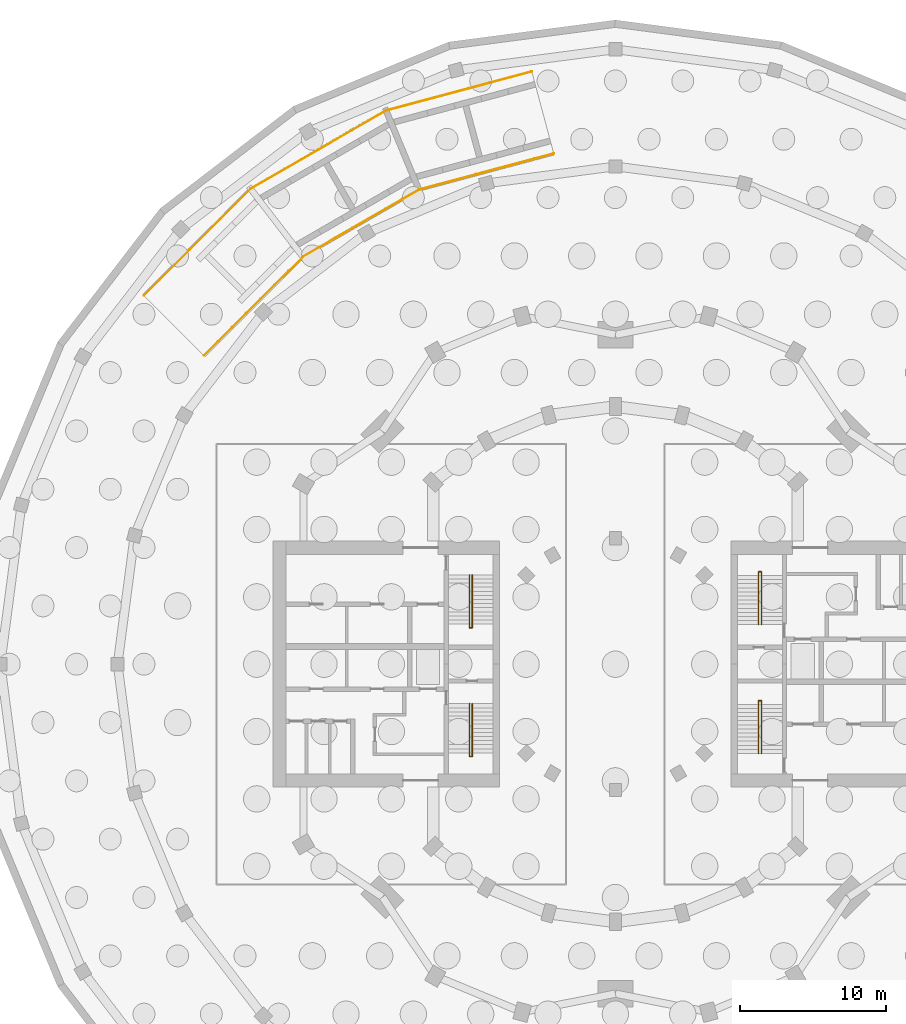
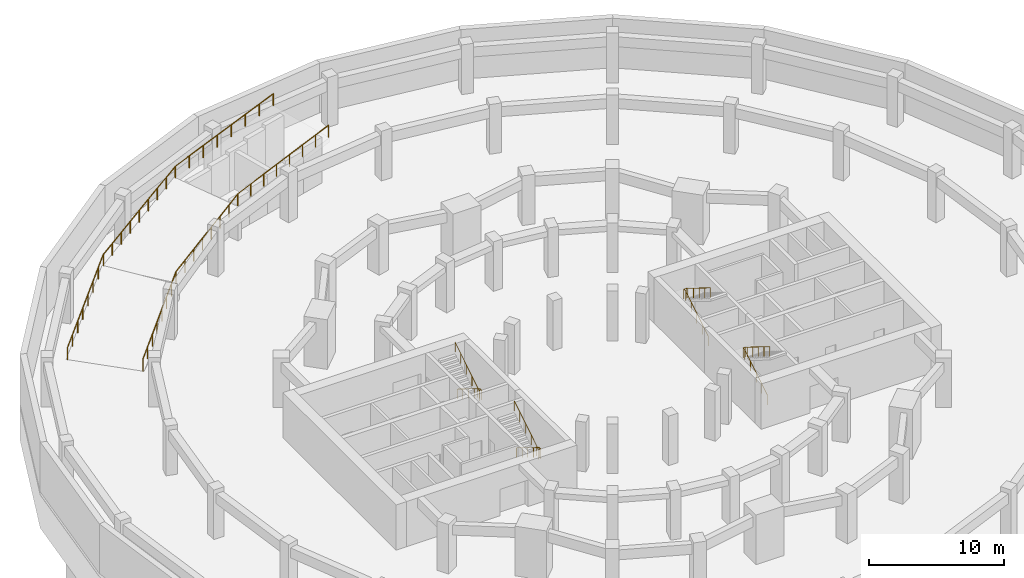
# One storey, part 8 of 9: 6 railings.
"""IFC4 building model written with IfcOpenShell, lengths in metres."""

from ifc_helpers import new_model, si_unit, direction, frame, origin, origin_2d, place, context, subcontext, project, spatial, circle, extrude, material, type_object, element, save


model = new_model("IFC4")

# Units and contexts
model_context = context("Model", 3, precision=1e-05, world=origin(), true_north=direction((0.0, 1.0)))
body_context = subcontext(model_context, "Body", "Model", "MODEL_VIEW")
ifc_project = project(units=[si_unit("LENGTHUNIT", "METRE"), si_unit("AREAUNIT", "SQUARE_METRE"), si_unit("VOLUMEUNIT", "CUBIC_METRE"), si_unit("PLANEANGLEUNIT", "RADIAN"), si_unit("MASSUNIT", "GRAM", prefix="KILO")], contexts=[model_context])

# Site, building, storey
site_placement = place(None, origin())
site = spatial("IfcSite", under=ifc_project, at=site_placement, CompositionType="ELEMENT")
building_placement = place(site_placement, origin())
building = spatial("IfcBuilding", under=site, at=building_placement, Name="Torre Brocal", CompositionType="ELEMENT")
storey_placement = place(building_placement, frame((0.0, 0.0, -9.0)))
storey = spatial("IfcBuildingStorey", under=building, at=storey_placement, Name="B2", CompositionType="ELEMENT", Elevation=-9.0)

# Railings
ifc_material_1 = material(Name="Steel A992", Category="steel")
railing_type_1 = type_object("IfcRailingType", Name="RAMP GUARD", PredefinedType="GUARDRAIL", material=ifc_material_1)
railing_1_placement = place(storey_placement, frame((75.79052734375, 109.873779296875, 4.5)))
element("IfcRailing", 1, at=railing_1_placement, inside=storey, type_object=railing_type_1, Name="Railing RG-01", PredefinedType="GUARDRAIL", context=body_context, shape_type="SweptSolid", body=[
    extrude(circle(Radius=0.02490234375, at=origin_2d()), frame((0.0, 0.0, 1.0751953125), z_axis=(-0.954195909536, -0.255686171058, -0.155353622921), x_axis=(0.258828629365, -0.965923258143, 0.0)), (0.0, 0.0, 1.0), 9.6552734375),
    extrude(circle(Radius=0.02490234375, at=origin_2d()), frame((-9.213134765625, -2.46875, -0.4248046875), z_axis=(-0.85463722704, -0.493416172458, -0.161665367085), x_axis=(0.499993265928, -0.866029291668, 0.0)), (0.0, 0.0, 1.0), 9.2783203125),
    extrude(circle(Radius=0.02490234375, at=origin_2d()), frame((-17.142822265625, -7.046875, -1.9248046875), z_axis=(-0.698522063857, -0.698522063857, -0.155350740619), x_axis=(0.707106781187, -0.707106781187, 0.0)), (0.0, 0.0, 1.0), 9.655517578125),
    extrude(circle(Radius=0.02490234375, at=origin_2d()), origin(), (0.0, 0.0, 1.0), 1.050048828125),
    extrude(circle(Radius=0.02490234375, at=origin_2d()), frame((-1.316162109375, -0.352783203125, -0.21435546875)), (0.0, 0.0, 1.0), 1.050048828125),
    extrude(circle(Radius=0.02490234375, at=origin_2d()), frame((-2.63232421875, -0.705322265625, -0.428466796875)), (0.0, 0.0, 1.0), 1.050048828125),
    extrude(circle(Radius=0.02490234375, at=origin_2d()), frame((-3.948486328125, -1.05810546875, -0.642822265625)), (0.0, 0.0, 1.0), 1.050048828125),
    extrude(circle(Radius=0.02490234375, at=origin_2d()), frame((-5.2646484375, -1.41064453125, -0.857177734375)), (0.0, 0.0, 1.0), 1.050048828125),
    extrude(circle(Radius=0.02490234375, at=origin_2d()), frame((-6.580810546875, -1.763427734375, -1.071533203125)), (0.0, 0.0, 1.0), 1.050048828125),
    extrude(circle(Radius=0.02490234375, at=origin_2d()), frame((-7.89697265625, -2.115966796875, -1.28564453125)), (0.0, 0.0, 1.0), 1.050048828125),
    extrude(circle(Radius=0.02490234375, at=origin_2d()), frame((-9.213134765625, -2.46875, -1.5)), (0.0, 0.0, 1.0), 1.050048828125),
    extrude(circle(Radius=0.02490234375, at=origin_2d()), frame((-10.345947265625, -3.122802734375, -1.71435546875)), (0.0, 0.0, 1.0), 1.050048828125),
    extrude(circle(Radius=0.02490234375, at=origin_2d()), frame((-11.478759765625, -3.77685546875, -1.928466796875)), (0.0, 0.0, 1.0), 1.050048828125),
    extrude(circle(Radius=0.02490234375, at=origin_2d()), frame((-12.611572265625, -4.430908203125, -2.142822265625)), (0.0, 0.0, 1.0), 1.050048828125),
    extrude(circle(Radius=0.02490234375, at=origin_2d()), frame((-13.744384765625, -5.084716796875, -2.357177734375)), (0.0, 0.0, 1.0), 1.050048828125),
    extrude(circle(Radius=0.02490234375, at=origin_2d()), frame((-14.877197265625, -5.73876953125, -2.571533203125)), (0.0, 0.0, 1.0), 1.050048828125),
    extrude(circle(Radius=0.02490234375, at=origin_2d()), frame((-16.010009765625, -6.392822265625, -2.78564453125)), (0.0, 0.0, 1.0), 1.050048828125),
    extrude(circle(Radius=0.02490234375, at=origin_2d()), frame((-17.142822265625, -7.046875, -3.0)), (0.0, 0.0, 1.0), 1.050048828125),
    extrude(circle(Radius=0.02490234375, at=origin_2d()), frame((-18.1064453125, -8.010498046875, -3.21435546875)), (0.0, 0.0, 1.0), 1.050048828125),
    extrude(circle(Radius=0.02490234375, at=origin_2d()), frame((-19.06982421875, -8.973876953125, -3.428466796875)), (0.0, 0.0, 1.0), 1.050048828125),
    extrude(circle(Radius=0.02490234375, at=origin_2d()), frame((-20.033447265625, -9.9375, -3.642822265625)), (0.0, 0.0, 1.0), 1.050048828125),
    extrude(circle(Radius=0.02490234375, at=origin_2d()), frame((-20.996826171875, -10.90087890625, -3.857177734375)), (0.0, 0.0, 1.0), 1.050048828125),
    extrude(circle(Radius=0.02490234375, at=origin_2d()), frame((-21.96044921875, -11.864501953125, -4.071533203125)), (0.0, 0.0, 1.0), 1.050048828125),
    extrude(circle(Radius=0.02490234375, at=origin_2d()), frame((-22.923828125, -12.827880859375, -4.28564453125)), (0.0, 0.0, 1.0), 1.050048828125),
    extrude(circle(Radius=0.02490234375, at=origin_2d()), frame((-23.887451171875, -13.79150390625, -4.5)), (0.0, 0.0, 1.0), 1.050048828125),
])
railing_2_placement = place(storey_placement, frame((74.28955078125, 115.47607421875, 4.5)))
element("IfcRailing", 2, at=railing_2_placement, inside=storey, type_object=railing_type_1, Name="Railing RG-01", PredefinedType="GUARDRAIL", context=body_context, shape_type="SweptSolid", body=[
    extrude(circle(Radius=0.02490234375, at=origin_2d()), frame((0.0, 0.0, 1.0751953125), z_axis=(-0.955848782905, -0.256110909446, -0.144084372094), x_axis=(0.258811502268, -0.965927847354, 0.0)), (0.0, 0.0, 1.0), 10.41064453125),
    extrude(circle(Radius=0.02490234375, at=origin_2d()), frame((-9.950927734375, -2.666259765625, -0.4248046875), z_axis=(-0.857612056732, -0.495146101309, -0.139039197735), x_axis=(0.500002688229, -0.866023851729, 0.0)), (0.0, 0.0, 1.0), 10.788330078125),
    extrude(circle(Radius=0.02490234375, at=origin_2d()), frame((-19.203125, -8.008056640625, -1.9248046875), z_axis=(-0.69972811897, -0.69972811897, -0.144087192511), x_axis=(0.707106781187, -0.707106781187, 0.0)), (0.0, 0.0, 1.0), 10.410400390625),
    extrude(circle(Radius=0.02490234375, at=origin_2d()), origin(), (0.0, 0.0, 1.0), 1.050048828125),
    extrude(circle(Radius=0.02490234375, at=origin_2d()), frame((-1.421630859375, -0.380859375, -0.21435546875)), (0.0, 0.0, 1.0), 1.050048828125),
    extrude(circle(Radius=0.02490234375, at=origin_2d()), frame((-2.843017578125, -0.76171875, -0.428466796875)), (0.0, 0.0, 1.0), 1.050048828125),
    extrude(circle(Radius=0.02490234375, at=origin_2d()), frame((-4.2646484375, -1.142578125, -0.642822265625)), (0.0, 0.0, 1.0), 1.050048828125),
    extrude(circle(Radius=0.02490234375, at=origin_2d()), frame((-5.686279296875, -1.523681640625, -0.857177734375)), (0.0, 0.0, 1.0), 1.050048828125),
    extrude(circle(Radius=0.02490234375, at=origin_2d()), frame((-7.10791015625, -1.904541015625, -1.071533203125)), (0.0, 0.0, 1.0), 1.050048828125),
    extrude(circle(Radius=0.02490234375, at=origin_2d()), frame((-8.529296875, -2.285400390625, -1.28564453125)), (0.0, 0.0, 1.0), 1.050048828125),
    extrude(circle(Radius=0.02490234375, at=origin_2d()), frame((-9.950927734375, -2.666259765625, -1.5)), (0.0, 0.0, 1.0), 1.050048828125),
    extrude(circle(Radius=0.02490234375, at=origin_2d()), frame((-11.107421875, -3.333984375, -1.6875)), (0.0, 0.0, 1.0), 1.050048828125),
    extrude(circle(Radius=0.02490234375, at=origin_2d()), frame((-12.263916015625, -4.001708984375, -1.875)), (0.0, 0.0, 1.0), 1.050048828125),
    extrude(circle(Radius=0.02490234375, at=origin_2d()), frame((-13.42041015625, -4.66943359375, -2.0625)), (0.0, 0.0, 1.0), 1.050048828125),
    extrude(circle(Radius=0.02490234375, at=origin_2d()), frame((-14.5771484375, -5.337158203125, -2.25)), (0.0, 0.0, 1.0), 1.050048828125),
    extrude(circle(Radius=0.02490234375, at=origin_2d()), frame((-15.733642578125, -6.0048828125, -2.4375)), (0.0, 0.0, 1.0), 1.050048828125),
    extrude(circle(Radius=0.02490234375, at=origin_2d()), frame((-16.89013671875, -6.672607421875, -2.625)), (0.0, 0.0, 1.0), 1.050048828125),
    extrude(circle(Radius=0.02490234375, at=origin_2d()), frame((-18.046630859375, -7.34033203125, -2.8125)), (0.0, 0.0, 1.0), 1.050048828125),
    extrude(circle(Radius=0.02490234375, at=origin_2d()), frame((-19.203125, -8.008056640625, -3.0)), (0.0, 0.0, 1.0), 1.050048828125),
    extrude(circle(Radius=0.02490234375, at=origin_2d()), frame((-20.24365234375, -9.048583984375, -3.21435546875)), (0.0, 0.0, 1.0), 1.050048828125),
    extrude(circle(Radius=0.02490234375, at=origin_2d()), frame((-21.284423828125, -10.08935546875, -3.428466796875)), (0.0, 0.0, 1.0), 1.050048828125),
    extrude(circle(Radius=0.02490234375, at=origin_2d()), frame((-22.324951171875, -11.1298828125, -3.642822265625)), (0.0, 0.0, 1.0), 1.050048828125),
    extrude(circle(Radius=0.02490234375, at=origin_2d()), frame((-23.36572265625, -12.170654296875, -3.857177734375)), (0.0, 0.0, 1.0), 1.050048828125),
    extrude(circle(Radius=0.02490234375, at=origin_2d()), frame((-24.40625, -13.211181640625, -4.071533203125)), (0.0, 0.0, 1.0), 1.050048828125),
    extrude(circle(Radius=0.02490234375, at=origin_2d()), frame((-25.447021484375, -14.251953125, -4.28564453125)), (0.0, 0.0, 1.0), 1.050048828125),
    extrude(circle(Radius=0.02490234375, at=origin_2d()), frame((-26.487548828125, -15.29248046875, -4.5)), (0.0, 0.0, 1.0), 1.050048828125),
])
ifc_material_2 = material(Name="Stainless steel AISI 316", Category="steel")
railing_type_2 = type_object("IfcRailingType", Name="STAIR HANDRAIL", PredefinedType="HANDRAIL", material=ifc_material_2)
railing_3_placement = place(storey_placement, frame((89.780029296875, 77.699951171875, 0.173095703125)))
element("IfcRailing", 3, at=railing_3_placement, inside=storey, type_object=railing_type_2, Name="HANDRAIL ST1", PredefinedType="HANDRAIL", context=body_context, shape_type="SweptSolid", body=[
    extrude(circle(Radius=0.02392578125, at=origin_2d()), frame((0.0, 0.0, 0.8759765625), z_axis=(0.0, 0.850623216509, 0.525775754039), x_axis=(-1.0, 0.0, 0.0)), (0.0, 0.0, 1.0), 3.9501953125),
    extrude(circle(Radius=0.02392578125, at=origin_2d()), frame((0.0, 3.360107421875, 2.95263671875), z_axis=(0.0, 1.0, 0.0), x_axis=(-1.0, 0.0, 0.0)), (0.0, 0.0, 1.0), 0.25),
    extrude(circle(Radius=0.02392578125, at=origin_2d()), frame((0.0, 3.610107421875, 2.95263671875), z_axis=(1.0, 0.0, 0.0), x_axis=(0.0, 1.0, 0.0)), (0.0, 0.0, 1.0), 0.18994140625),
    extrude(circle(Radius=0.02392578125, at=origin_2d()), frame((0.18994140625, 3.610107421875, 2.95263671875), z_axis=(0.0, -0.822163286406, 0.569251728576), x_axis=(1.0, 0.0, 0.0)), (0.0, 0.0, 1.0), 0.303955078125),
    extrude(circle(Radius=0.02392578125, at=origin_2d()), frame((0.18994140625, 3.360107421875, 3.1259765625), z_axis=(0.0, -0.850623216509, 0.525775754039), x_axis=(1.0, 0.0, 0.0)), (0.0, 0.0, 1.0), 3.9501953125),
    extrude(circle(Radius=0.02099609375, at=origin_2d()), origin(), (0.0, 0.0, 1.0), 0.851806640625),
    extrude(circle(Radius=0.02099609375, at=origin_2d()), frame((0.0, 0.840087890625, 0.519287109375)), (0.0, 0.0, 1.0), 0.851806640625),
    extrude(circle(Radius=0.02099609375, at=origin_2d()), frame((0.0, 1.68017578125, 1.03857421875)), (0.0, 0.0, 1.0), 0.851806640625),
    extrude(circle(Radius=0.02099609375, at=origin_2d()), frame((0.0, 2.52001953125, 1.5576171875)), (0.0, 0.0, 1.0), 0.851806640625),
    extrude(circle(Radius=0.02099609375, at=origin_2d()), frame((0.0, 3.360107421875, 2.076904296875)), (0.0, 0.0, 1.0), 0.851806640625),
    extrude(circle(Radius=0.02099609375, at=origin_2d()), frame((0.0, 3.610107421875, 2.076904296875)), (0.0, 0.0, 1.0), 0.851806640625),
    extrude(circle(Radius=0.02099609375, at=origin_2d()), frame((0.18994140625, 3.610107421875, 2.076904296875)), (0.0, 0.0, 1.0), 0.851806640625),
    extrude(circle(Radius=0.02099609375, at=origin_2d()), frame((0.18994140625, 3.360107421875, 2.25)), (0.0, 0.0, 1.0), 0.851806640625),
    extrude(circle(Radius=0.02099609375, at=origin_2d()), frame((0.18994140625, 2.52001953125, 2.769287109375)), (0.0, 0.0, 1.0), 0.851806640625),
    extrude(circle(Radius=0.02099609375, at=origin_2d()), frame((0.18994140625, 1.68017578125, 3.28857421875)), (0.0, 0.0, 1.0), 0.851806640625),
    extrude(circle(Radius=0.02099609375, at=origin_2d()), frame((0.18994140625, 0.840087890625, 3.8076171875)), (0.0, 0.0, 1.0), 0.851806640625),
    extrude(circle(Radius=0.02099609375, at=origin_2d()), frame((0.18994140625, 0.0, 4.326904296875)), (0.0, 0.0, 1.0), 0.851806640625),
])
railing_4_placement = place(storey_placement, frame((89.780029296875, 68.89990234375, 0.173095703125)))
element("IfcRailing", 4, at=railing_4_placement, inside=storey, type_object=railing_type_2, Name="HANDRAIL ST2", PredefinedType="HANDRAIL", context=body_context, shape_type="SweptSolid", body=[
    extrude(circle(Radius=0.02392578125, at=origin_2d()), frame((0.0, 0.0, 0.8759765625), z_axis=(0.0, 0.850623216509, 0.525775754039), x_axis=(-1.0, 0.0, 0.0)), (0.0, 0.0, 1.0), 3.9501953125),
    extrude(circle(Radius=0.02392578125, at=origin_2d()), frame((0.0, 3.360107421875, 2.95263671875), z_axis=(0.0, 1.0, 0.0), x_axis=(-1.0, 0.0, 0.0)), (0.0, 0.0, 1.0), 0.25),
    extrude(circle(Radius=0.02392578125, at=origin_2d()), frame((0.0, 3.610107421875, 2.95263671875), z_axis=(1.0, 0.0, 0.0), x_axis=(0.0, 1.0, 0.0)), (0.0, 0.0, 1.0), 0.18994140625),
    extrude(circle(Radius=0.02392578125, at=origin_2d()), frame((0.18994140625, 3.610107421875, 2.95263671875), z_axis=(0.0, -0.822163286406, 0.569251728576), x_axis=(1.0, 0.0, 0.0)), (0.0, 0.0, 1.0), 0.303955078125),
    extrude(circle(Radius=0.02392578125, at=origin_2d()), frame((0.18994140625, 3.360107421875, 3.1259765625), z_axis=(0.0, -0.850623216509, 0.525775754039), x_axis=(1.0, 0.0, 0.0)), (0.0, 0.0, 1.0), 3.9501953125),
    extrude(circle(Radius=0.02099609375, at=origin_2d()), origin(), (0.0, 0.0, 1.0), 0.851806640625),
    extrude(circle(Radius=0.02099609375, at=origin_2d()), frame((0.0, 0.840087890625, 0.519287109375)), (0.0, 0.0, 1.0), 0.851806640625),
    extrude(circle(Radius=0.02099609375, at=origin_2d()), frame((0.0, 1.68017578125, 1.03857421875)), (0.0, 0.0, 1.0), 0.851806640625),
    extrude(circle(Radius=0.02099609375, at=origin_2d()), frame((0.0, 2.52001953125, 1.5576171875)), (0.0, 0.0, 1.0), 0.851806640625),
    extrude(circle(Radius=0.02099609375, at=origin_2d()), frame((0.0, 3.360107421875, 2.076904296875)), (0.0, 0.0, 1.0), 0.851806640625),
    extrude(circle(Radius=0.02099609375, at=origin_2d()), frame((0.0, 3.610107421875, 2.076904296875)), (0.0, 0.0, 1.0), 0.851806640625),
    extrude(circle(Radius=0.02099609375, at=origin_2d()), frame((0.18994140625, 3.610107421875, 2.076904296875)), (0.0, 0.0, 1.0), 0.851806640625),
    extrude(circle(Radius=0.02099609375, at=origin_2d()), frame((0.18994140625, 3.360107421875, 2.25)), (0.0, 0.0, 1.0), 0.851806640625),
    extrude(circle(Radius=0.02099609375, at=origin_2d()), frame((0.18994140625, 2.52001953125, 2.769287109375)), (0.0, 0.0, 1.0), 0.851806640625),
    extrude(circle(Radius=0.02099609375, at=origin_2d()), frame((0.18994140625, 1.68017578125, 3.28857421875)), (0.0, 0.0, 1.0), 0.851806640625),
    extrude(circle(Radius=0.02099609375, at=origin_2d()), frame((0.18994140625, 0.840087890625, 3.8076171875)), (0.0, 0.0, 1.0), 0.851806640625),
    extrude(circle(Radius=0.02099609375, at=origin_2d()), frame((0.18994140625, 0.0, 4.326904296875)), (0.0, 0.0, 1.0), 0.851806640625),
])
railing_5_placement = place(storey_placement, frame((70.219970703125, 72.300048828125, 0.173095703125)))
element("IfcRailing", 5, at=railing_5_placement, inside=storey, type_object=railing_type_2, Name="HANDRAIL ST3", PredefinedType="HANDRAIL", context=body_context, shape_type="SweptSolid", body=[
    extrude(circle(Radius=0.02392578125, at=origin_2d()), frame((0.0, 0.0, 0.8759765625), z_axis=(0.0, -0.850623216509, 0.525775754039), x_axis=(1.0, 0.0, 0.0)), (0.0, 0.0, 1.0), 3.9501953125),
    extrude(circle(Radius=0.02392578125, at=origin_2d()), frame((0.0, -3.360107421875, 2.95263671875), z_axis=(0.0, -1.0, 0.0), x_axis=(1.0, 0.0, 0.0)), (0.0, 0.0, 1.0), 0.25),
    extrude(circle(Radius=0.02392578125, at=origin_2d()), frame((0.0, -3.610107421875, 2.95263671875), z_axis=(-1.0, 0.0, 0.0), x_axis=(0.0, -1.0, 0.0)), (0.0, 0.0, 1.0), 0.18994140625),
    extrude(circle(Radius=0.02392578125, at=origin_2d()), frame((-0.18994140625, -3.610107421875, 2.95263671875), z_axis=(0.0, 0.822163286406, 0.569251728576), x_axis=(-1.0, 0.0, 0.0)), (0.0, 0.0, 1.0), 0.303955078125),
    extrude(circle(Radius=0.02392578125, at=origin_2d()), frame((-0.18994140625, -3.360107421875, 3.1259765625), z_axis=(0.0, 0.850623216509, 0.525775754039), x_axis=(-1.0, 0.0, 0.0)), (0.0, 0.0, 1.0), 3.9501953125),
    extrude(circle(Radius=0.02099609375, at=origin_2d()), origin(), (0.0, 0.0, 1.0), 0.851806640625),
    extrude(circle(Radius=0.02099609375, at=origin_2d()), frame((0.0, -0.840087890625, 0.519287109375)), (0.0, 0.0, 1.0), 0.851806640625),
    extrude(circle(Radius=0.02099609375, at=origin_2d()), frame((0.0, -1.68017578125, 1.03857421875)), (0.0, 0.0, 1.0), 0.851806640625),
    extrude(circle(Radius=0.02099609375, at=origin_2d()), frame((0.0, -2.52001953125, 1.5576171875)), (0.0, 0.0, 1.0), 0.851806640625),
    extrude(circle(Radius=0.02099609375, at=origin_2d()), frame((0.0, -3.360107421875, 2.076904296875)), (0.0, 0.0, 1.0), 0.851806640625),
    extrude(circle(Radius=0.02099609375, at=origin_2d()), frame((0.0, -3.610107421875, 2.076904296875)), (0.0, 0.0, 1.0), 0.851806640625),
    extrude(circle(Radius=0.02099609375, at=origin_2d()), frame((-0.18994140625, -3.610107421875, 2.076904296875)), (0.0, 0.0, 1.0), 0.851806640625),
    extrude(circle(Radius=0.02099609375, at=origin_2d()), frame((-0.18994140625, -3.360107421875, 2.25)), (0.0, 0.0, 1.0), 0.851806640625),
    extrude(circle(Radius=0.02099609375, at=origin_2d()), frame((-0.18994140625, -2.52001953125, 2.769287109375)), (0.0, 0.0, 1.0), 0.851806640625),
    extrude(circle(Radius=0.02099609375, at=origin_2d()), frame((-0.18994140625, -1.68017578125, 3.28857421875)), (0.0, 0.0, 1.0), 0.851806640625),
    extrude(circle(Radius=0.02099609375, at=origin_2d()), frame((-0.18994140625, -0.840087890625, 3.8076171875)), (0.0, 0.0, 1.0), 0.851806640625),
    extrude(circle(Radius=0.02099609375, at=origin_2d()), frame((-0.18994140625, 0.0, 4.326904296875)), (0.0, 0.0, 1.0), 0.851806640625),
])
railing_6_placement = place(storey_placement, frame((70.219970703125, 81.10009765625, 0.173095703125)))
element("IfcRailing", 6, at=railing_6_placement, inside=storey, type_object=railing_type_2, Name="HANDRAIL ST4", PredefinedType="HANDRAIL", context=body_context, shape_type="SweptSolid", body=[
    extrude(circle(Radius=0.02392578125, at=origin_2d()), frame((0.0, 0.0, 0.8759765625), z_axis=(0.0, -0.850623216509, 0.525775754039), x_axis=(1.0, 0.0, 0.0)), (0.0, 0.0, 1.0), 3.9501953125),
    extrude(circle(Radius=0.02392578125, at=origin_2d()), frame((0.0, -3.360107421875, 2.95263671875), z_axis=(0.0, -1.0, 0.0), x_axis=(1.0, 0.0, 0.0)), (0.0, 0.0, 1.0), 0.25),
    extrude(circle(Radius=0.02392578125, at=origin_2d()), frame((0.0, -3.610107421875, 2.95263671875), z_axis=(-1.0, 0.0, 0.0), x_axis=(0.0, -1.0, 0.0)), (0.0, 0.0, 1.0), 0.18994140625),
    extrude(circle(Radius=0.02392578125, at=origin_2d()), frame((-0.18994140625, -3.610107421875, 2.95263671875), z_axis=(0.0, 0.822163286406, 0.569251728576), x_axis=(-1.0, 0.0, 0.0)), (0.0, 0.0, 1.0), 0.303955078125),
    extrude(circle(Radius=0.02392578125, at=origin_2d()), frame((-0.18994140625, -3.360107421875, 3.1259765625), z_axis=(0.0, 0.850623216509, 0.525775754039), x_axis=(-1.0, 0.0, 0.0)), (0.0, 0.0, 1.0), 3.9501953125),
    extrude(circle(Radius=0.02099609375, at=origin_2d()), origin(), (0.0, 0.0, 1.0), 0.851806640625),
    extrude(circle(Radius=0.02099609375, at=origin_2d()), frame((0.0, -0.840087890625, 0.519287109375)), (0.0, 0.0, 1.0), 0.851806640625),
    extrude(circle(Radius=0.02099609375, at=origin_2d()), frame((0.0, -1.68017578125, 1.03857421875)), (0.0, 0.0, 1.0), 0.851806640625),
    extrude(circle(Radius=0.02099609375, at=origin_2d()), frame((0.0, -2.52001953125, 1.5576171875)), (0.0, 0.0, 1.0), 0.851806640625),
    extrude(circle(Radius=0.02099609375, at=origin_2d()), frame((0.0, -3.360107421875, 2.076904296875)), (0.0, 0.0, 1.0), 0.851806640625),
    extrude(circle(Radius=0.02099609375, at=origin_2d()), frame((0.0, -3.610107421875, 2.076904296875)), (0.0, 0.0, 1.0), 0.851806640625),
    extrude(circle(Radius=0.02099609375, at=origin_2d()), frame((-0.18994140625, -3.610107421875, 2.076904296875)), (0.0, 0.0, 1.0), 0.851806640625),
    extrude(circle(Radius=0.02099609375, at=origin_2d()), frame((-0.18994140625, -3.360107421875, 2.25)), (0.0, 0.0, 1.0), 0.851806640625),
    extrude(circle(Radius=0.02099609375, at=origin_2d()), frame((-0.18994140625, -2.52001953125, 2.769287109375)), (0.0, 0.0, 1.0), 0.851806640625),
    extrude(circle(Radius=0.02099609375, at=origin_2d()), frame((-0.18994140625, -1.68017578125, 3.28857421875)), (0.0, 0.0, 1.0), 0.851806640625),
    extrude(circle(Radius=0.02099609375, at=origin_2d()), frame((-0.18994140625, -0.840087890625, 3.8076171875)), (0.0, 0.0, 1.0), 0.851806640625),
    extrude(circle(Radius=0.02099609375, at=origin_2d()), frame((-0.18994140625, 0.0, 4.326904296875)), (0.0, 0.0, 1.0), 0.851806640625),
])

save(model, "model.ifc")
